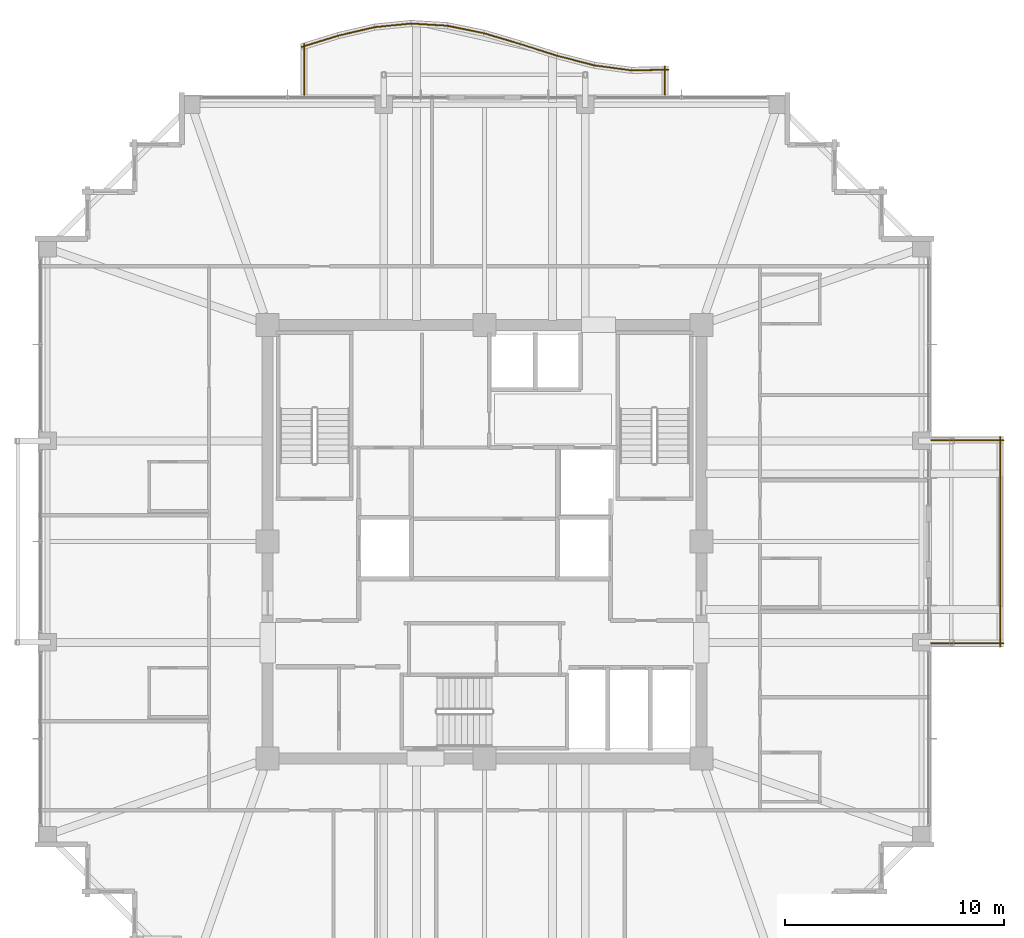
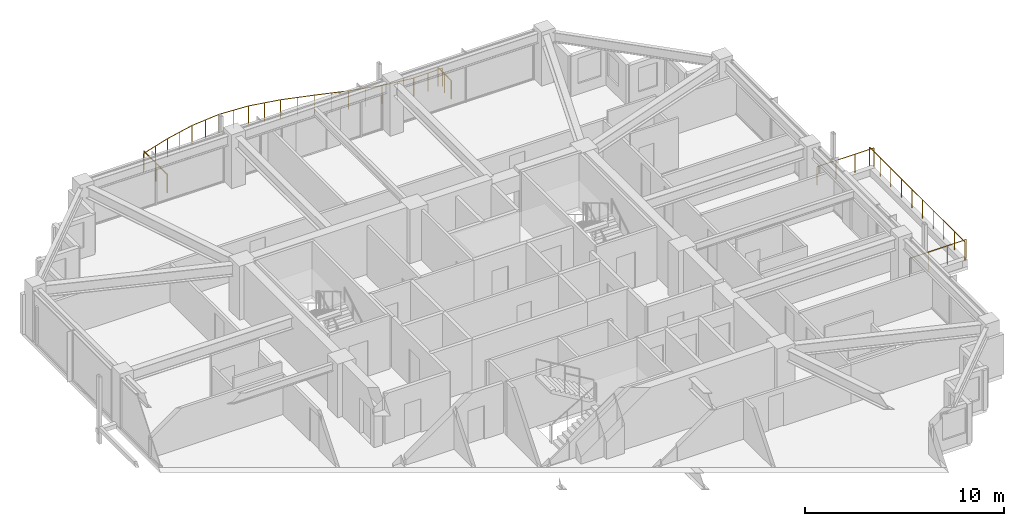
# One storey, part 38 of 38: 15 railings.
"""IFC4 building model written with IfcOpenShell, lengths in metres."""

from ifc_helpers import new_model, si_unit, direction, frame, origin, origin_2d, place, context, subcontext, project, spatial, circle, extrude, material, type_object, element, save


model = new_model("IFC4")

# Units and contexts
model_context = context("Model", 3, precision=1e-05, world=origin(), true_north=direction((0.0, 1.0)))
body_context = subcontext(model_context, "Body", "Model", "MODEL_VIEW")
ifc_project = project(units=[si_unit("LENGTHUNIT", "METRE"), si_unit("AREAUNIT", "SQUARE_METRE"), si_unit("VOLUMEUNIT", "CUBIC_METRE"), si_unit("PLANEANGLEUNIT", "RADIAN"), si_unit("MASSUNIT", "GRAM", prefix="KILO")], contexts=[model_context])

# Site, building, storey
site_placement = place(None, origin())
site = spatial("IfcSite", under=ifc_project, at=site_placement, CompositionType="ELEMENT")
building_placement = place(site_placement, origin())
building = spatial("IfcBuilding", under=site, at=building_placement, Name="Kolvaren Belvedere", CompositionType="ELEMENT")
storey_placement = place(building_placement, frame((0.0, 0.0, 206.39990234375)))
storey = spatial("IfcBuildingStorey", under=building, at=storey_placement, Name="L60", CompositionType="ELEMENT", Elevation=206.39990234375)

# Railings
ifc_material = material(Name="Anodised pale-metal aluminium & laminated glass guard", Category="aluminium")
railing_type = type_object("IfcRailingType", Name="RL-GUARD-1150", PredefinedType="GUARDRAIL", material=ifc_material)
railing_1_placement = place(storey_placement, frame((8.239990234375, 20.39990234375, 0.380126953125)))
element("IfcRailing", 1, at=railing_1_placement, inside=storey, type_object=railing_type, Name="L60 Exterior Deck Safety Guard BAL-N-11", PredefinedType="GUARDRAIL", context=body_context, shape_type="SweptSolid", body=[
    extrude(circle(Radius=0.02392578125, at=origin_2d()), frame((0.0, 0.0, 1.1259765625), z_axis=(0.0, 1.0, 0.0), x_axis=(-1.0, 0.0, 0.0)), (0.0, 0.0, 1.0), 1.31298828125),
    extrude(circle(Radius=0.02099609375, at=origin_2d()), origin(), (0.0, 0.0, 1.0), 1.101806640625),
    extrude(circle(Radius=0.02099609375, at=origin_2d()), frame((0.0, 0.656494140625, 0.0)), (0.0, 0.0, 1.0), 1.101806640625),
    extrude(circle(Radius=0.02099609375, at=origin_2d()), frame((0.0, 1.31298828125, 0.0)), (0.0, 0.0, 1.0), 1.101806640625),
])
railing_2_placement = place(storey_placement, frame((8.4033203125, 21.552978515625, 0.380126953125)))
element("IfcRailing", 2, at=railing_2_placement, inside=storey, type_object=railing_type, Name="L60 Exterior Deck Safety Guard BAL-N-12", PredefinedType="GUARDRAIL", context=body_context, shape_type="SweptSolid", body=[
    extrude(circle(Radius=0.02392578125, at=origin_2d()), frame((0.0, 0.0, 1.1259765625), z_axis=(-0.99979609052, -0.020193498486, 0.0), x_axis=(0.020193498486, -0.99979609052, 0.0)), (0.0, 0.0, 1.0), 1.680419921875),
    extrude(circle(Radius=0.02099609375, at=origin_2d()), origin(), (0.0, 0.0, 1.0), 1.101806640625),
    extrude(circle(Radius=0.02099609375, at=origin_2d()), frame((-0.840087890625, -0.01708984375, 0.0)), (0.0, 0.0, 1.0), 1.101806640625),
    extrude(circle(Radius=0.02099609375, at=origin_2d()), frame((-1.68017578125, -0.033935546875, 0.0)), (0.0, 0.0, 1.0), 1.101806640625),
])
railing_3_placement = place(storey_placement, frame((6.698486328125, 21.5205078125, 0.380126953125)))
element("IfcRailing", 3, at=railing_3_placement, inside=storey, type_object=railing_type, Name="L60 Exterior Deck Safety Guard BAL-N-13", PredefinedType="GUARDRAIL", context=body_context, shape_type="SweptSolid", body=[
    extrude(circle(Radius=0.02392578125, at=origin_2d()), frame((0.0, 0.0, 1.1259765625), z_axis=(-0.990858183042, 0.134907602079, 0.0), x_axis=(-0.134907602079, -0.990858183042, 0.0)), (0.0, 0.0, 1.0), 1.695556640625),
    extrude(circle(Radius=0.02099609375, at=origin_2d()), origin(), (0.0, 0.0, 1.0), 1.101806640625),
    extrude(circle(Radius=0.02099609375, at=origin_2d()), frame((-0.840087890625, 0.1142578125, 0.0)), (0.0, 0.0, 1.0), 1.101806640625),
    extrude(circle(Radius=0.02099609375, at=origin_2d()), frame((-1.68017578125, 0.228759765625, 0.0)), (0.0, 0.0, 1.0), 1.101806640625),
])
railing_4_placement = place(storey_placement, frame((5.0, 21.7529296875, 0.380126953125)))
element("IfcRailing", 4, at=railing_4_placement, inside=storey, type_object=railing_type, Name="L60 Exterior Deck Safety Guard BAL-N-14", PredefinedType="GUARDRAIL", context=body_context, shape_type="SweptSolid", body=[
    extrude(circle(Radius=0.02392578125, at=origin_2d()), frame((0.0, 0.0, 1.1259765625), z_axis=(-0.968141031826, 0.250405556038, 0.0), x_axis=(-0.250405556038, -0.968141031826, 0.0)), (0.0, 0.0, 1.0), 1.7353515625),
    extrude(circle(Radius=0.02099609375, at=origin_2d()), origin(), (0.0, 0.0, 1.0), 1.101806640625),
    extrude(circle(Radius=0.02099609375, at=origin_2d()), frame((-0.840087890625, 0.21728515625, 0.0)), (0.0, 0.0, 1.0), 1.101806640625),
    extrude(circle(Radius=0.02099609375, at=origin_2d()), frame((-1.68017578125, 0.4345703125, 0.0)), (0.0, 0.0, 1.0), 1.101806640625),
])
railing_5_placement = place(storey_placement, frame((3.3115234375, 22.18994140625, 0.380126953125)))
element("IfcRailing", 5, at=railing_5_placement, inside=storey, type_object=railing_type, Name="L60 Exterior Deck Safety Guard BAL-N-15", PredefinedType="GUARDRAIL", context=body_context, shape_type="SweptSolid", body=[
    extrude(circle(Radius=0.02392578125, at=origin_2d()), frame((0.0, 0.0, 1.1259765625), z_axis=(-0.953181954832, 0.302397356111, 0.0), x_axis=(-0.302397356111, -0.953181954832, 0.0)), (0.0, 0.0, 1.0), 1.762451171875),
    extrude(circle(Radius=0.02099609375, at=origin_2d()), origin(), (0.0, 0.0, 1.0), 1.101806640625),
    extrude(circle(Radius=0.02099609375, at=origin_2d()), frame((-0.83984375, 0.2666015625, 0.0)), (0.0, 0.0, 1.0), 1.101806640625),
    extrude(circle(Radius=0.02099609375, at=origin_2d()), frame((-1.679931640625, 0.532958984375, 0.0)), (0.0, 0.0, 1.0), 1.101806640625),
])
railing_6_placement = place(storey_placement, frame((1.634521484375, 22.721923828125, 0.380126953125)))
element("IfcRailing", 6, at=railing_6_placement, inside=storey, type_object=railing_type, Name="L60 Exterior Deck Safety Guard BAL-N-16", PredefinedType="GUARDRAIL", context=body_context, shape_type="SweptSolid", body=[
    extrude(circle(Radius=0.02392578125, at=origin_2d()), frame((0.0, 0.0, 1.1259765625), z_axis=(-0.958536356279, 0.284970268083, 0.0), x_axis=(-0.284970268083, -0.958536356279, 0.0)), (0.0, 0.0, 1.0), 1.7529296875),
    extrude(circle(Radius=0.02099609375, at=origin_2d()), origin(), (0.0, 0.0, 1.0), 1.101806640625),
    extrude(circle(Radius=0.02099609375, at=origin_2d()), frame((-0.840087890625, 0.249755859375, 0.0)), (0.0, 0.0, 1.0), 1.101806640625),
    extrude(circle(Radius=0.02099609375, at=origin_2d()), frame((-1.68017578125, 0.49951171875, 0.0)), (0.0, 0.0, 1.0), 1.101806640625),
])
railing_7_placement = place(storey_placement, frame((-0.031982421875, 23.218017578125, 0.380126953125)))
element("IfcRailing", 7, at=railing_7_placement, inside=storey, type_object=railing_type, Name="L60 Exterior Deck Safety Guard BAL-N-17", PredefinedType="GUARDRAIL", context=body_context, shape_type="SweptSolid", body=[
    extrude(circle(Radius=0.02392578125, at=origin_2d()), frame((0.0, 0.0, 1.1259765625), z_axis=(-0.979867779516, 0.199647526069, 0.0), x_axis=(-0.199647526069, -0.979867779516, 0.0)), (0.0, 0.0, 1.0), 1.71435546875),
    extrude(circle(Radius=0.02099609375, at=origin_2d()), origin(), (0.0, 0.0, 1.0), 1.101806640625),
    extrude(circle(Radius=0.02099609375, at=origin_2d()), frame((-0.83984375, 0.171142578125, 0.0)), (0.0, 0.0, 1.0), 1.101806640625),
    extrude(circle(Radius=0.02099609375, at=origin_2d()), frame((-1.679931640625, 0.34228515625, 0.0)), (0.0, 0.0, 1.0), 1.101806640625),
])
railing_8_placement = place(storey_placement, frame((-1.689697265625, 23.5576171875, 0.380126953125)))
element("IfcRailing", 8, at=railing_8_placement, inside=storey, type_object=railing_type, Name="L60 Exterior Deck Safety Guard BAL-N-18", PredefinedType="GUARDRAIL", context=body_context, shape_type="SweptSolid", body=[
    extrude(circle(Radius=0.02392578125, at=origin_2d()), frame((0.0, 0.0, 1.1259765625), z_axis=(-0.998134101522, 0.061059932685, 0.0), x_axis=(-0.061059932685, -0.998134101522, 0.0)), (0.0, 0.0, 1.0), 1.683349609375),
    extrude(circle(Radius=0.02099609375, at=origin_2d()), origin(), (0.0, 0.0, 1.0), 1.101806640625),
    extrude(circle(Radius=0.02099609375, at=origin_2d()), frame((-0.840087890625, 0.05126953125, 0.0)), (0.0, 0.0, 1.0), 1.101806640625),
    extrude(circle(Radius=0.02099609375, at=origin_2d()), frame((-1.68017578125, 0.102783203125, 0.0)), (0.0, 0.0, 1.0), 1.101806640625),
])
railing_9_placement = place(storey_placement, frame((-3.343994140625, 23.660888671875, 0.380126953125)))
element("IfcRailing", 9, at=railing_9_placement, inside=storey, type_object=railing_type, Name="L60 Exterior Deck Safety Guard BAL-N-19", PredefinedType="GUARDRAIL", context=body_context, shape_type="SweptSolid", body=[
    extrude(circle(Radius=0.02392578125, at=origin_2d()), frame((0.0, 0.0, 1.1259765625), z_axis=(-0.995025731437, -0.099618240186, 0.0), x_axis=(0.099618240186, -0.995025731437, 0.0)), (0.0, 0.0, 1.0), 1.6884765625),
    extrude(circle(Radius=0.02099609375, at=origin_2d()), origin(), (0.0, 0.0, 1.0), 1.101806640625),
    extrude(circle(Radius=0.02099609375, at=origin_2d()), frame((-0.840087890625, -0.083984375, 0.0)), (0.0, 0.0, 1.0), 1.101806640625),
    extrude(circle(Radius=0.02099609375, at=origin_2d()), frame((-1.68017578125, -0.168212890625, 0.0)), (0.0, 0.0, 1.0), 1.101806640625),
])
railing_10_placement = place(storey_placement, frame((-5.003662109375, 23.49609375, 0.380126953125)))
element("IfcRailing", 10, at=railing_10_placement, inside=storey, type_object=railing_type, Name="L60 Exterior Deck Safety Guard BAL-N-20", PredefinedType="GUARDRAIL", context=body_context, shape_type="SweptSolid", body=[
    extrude(circle(Radius=0.02392578125, at=origin_2d()), frame((0.0, 0.0, 1.1259765625), z_axis=(-0.973890253884, -0.227019323824, 0.0), x_axis=(0.227019323824, -0.973890253884, 0.0)), (0.0, 0.0, 1.0), 1.724853515625),
    extrude(circle(Radius=0.02099609375, at=origin_2d()), origin(), (0.0, 0.0, 1.0), 1.101806640625),
    extrude(circle(Radius=0.02099609375, at=origin_2d()), frame((-0.83984375, -0.19580078125, 0.0)), (0.0, 0.0, 1.0), 1.101806640625),
    extrude(circle(Radius=0.02099609375, at=origin_2d()), frame((-1.679931640625, -0.3916015625, 0.0)), (0.0, 0.0, 1.0), 1.101806640625),
])
railing_11_placement = place(storey_placement, frame((-6.672607421875, 23.107421875, 0.380126953125)))
element("IfcRailing", 11, at=railing_11_placement, inside=storey, type_object=railing_type, Name="L60 Exterior Deck Safety Guard BAL-N-21", PredefinedType="GUARDRAIL", context=body_context, shape_type="SweptSolid", body=[
    extrude(circle(Radius=0.02392578125, at=origin_2d()), frame((0.0, 0.0, 1.1259765625), z_axis=(-0.955252278476, -0.29579229954, 0.0), x_axis=(0.29579229954, -0.955252278476, 0.0)), (0.0, 0.0, 1.0), 1.7587890625),
    extrude(circle(Radius=0.02099609375, at=origin_2d()), origin(), (0.0, 0.0, 1.0), 1.101806640625),
    extrude(circle(Radius=0.02099609375, at=origin_2d()), frame((-0.840087890625, -0.26025390625, 0.0)), (0.0, 0.0, 1.0), 1.101806640625),
    extrude(circle(Radius=0.02099609375, at=origin_2d()), frame((-1.68017578125, -0.520263671875, 0.0)), (0.0, 0.0, 1.0), 1.101806640625),
])
railing_12_placement = place(storey_placement, frame((-8.239990234375, 22.739990234375, 0.380126953125)))
element("IfcRailing", 12, at=railing_12_placement, inside=storey, type_object=railing_type, Name="L60 Exterior Deck Safety Guard BAL-N-22", PredefinedType="GUARDRAIL", context=body_context, shape_type="SweptSolid", body=[
    extrude(circle(Radius=0.02392578125, at=origin_2d()), frame((0.0, 0.0, 1.1259765625), z_axis=(0.0, -1.0, 0.0), x_axis=(1.0, 0.0, 0.0)), (0.0, 0.0, 1.0), 2.340087890625),
    extrude(circle(Radius=0.02099609375, at=origin_2d()), origin(), (0.0, 0.0, 1.0), 1.101806640625),
    extrude(circle(Radius=0.02099609375, at=origin_2d()), frame((0.0, -1.169921875, 0.0)), (0.0, 0.0, 1.0), 1.101806640625),
    extrude(circle(Radius=0.02099609375, at=origin_2d()), frame((0.0, -2.340087890625, 0.0)), (0.0, 0.0, 1.0), 1.101806640625),
])
railing_13_placement = place(storey_placement, frame((20.39990234375, -4.639892578125, 0.380126953125)))
element("IfcRailing", 13, at=railing_13_placement, inside=storey, type_object=railing_type, Name="L60 Exterior Deck Safety Guard SPIRAL-09-E-1", PredefinedType="GUARDRAIL", context=body_context, shape_type="SweptSolid", body=[
    extrude(circle(Radius=0.02392578125, at=origin_2d()), frame((0.0, 0.0, 1.1259765625), z_axis=(1.0, 0.0, 0.0), x_axis=(0.0, 1.0, 0.0)), (0.0, 0.0, 1.0), 3.300048828125),
    extrude(circle(Radius=0.02099609375, at=origin_2d()), origin(), (0.0, 0.0, 1.0), 1.101806640625),
    extrude(circle(Radius=0.02099609375, at=origin_2d()), frame((1.10009765625, 0.0, 0.0)), (0.0, 0.0, 1.0), 1.101806640625),
    extrude(circle(Radius=0.02099609375, at=origin_2d()), frame((2.199951171875, 0.0, 0.0)), (0.0, 0.0, 1.0), 1.101806640625),
    extrude(circle(Radius=0.02099609375, at=origin_2d()), frame((3.300048828125, 0.0, 0.0)), (0.0, 0.0, 1.0), 1.101806640625),
])
railing_14_placement = place(storey_placement, frame((23.5400390625, -4.800048828125, 0.380126953125)))
element("IfcRailing", 14, at=railing_14_placement, inside=storey, type_object=railing_type, Name="L60 Exterior Deck Safety Guard SPIRAL-09-E-2", PredefinedType="GUARDRAIL", context=body_context, shape_type="SweptSolid", body=[
    extrude(circle(Radius=0.02392578125, at=origin_2d()), frame((0.0, 0.0, 1.1259765625), z_axis=(0.0, 1.0, 0.0), x_axis=(-1.0, 0.0, 0.0)), (0.0, 0.0, 1.0), 9.60009765625),
    extrude(circle(Radius=0.02099609375, at=origin_2d()), origin(), (0.0, 0.0, 1.0), 1.101806640625),
    extrude(circle(Radius=0.02099609375, at=origin_2d()), frame((0.0, 1.066650390625, 0.0)), (0.0, 0.0, 1.0), 1.101806640625),
    extrude(circle(Radius=0.02099609375, at=origin_2d()), frame((0.0, 2.13330078125, 0.0)), (0.0, 0.0, 1.0), 1.101806640625),
    extrude(circle(Radius=0.02099609375, at=origin_2d()), frame((0.0, 3.199951171875, 0.0)), (0.0, 0.0, 1.0), 1.101806640625),
    extrude(circle(Radius=0.02099609375, at=origin_2d()), frame((0.0, 4.2666015625, 0.0)), (0.0, 0.0, 1.0), 1.101806640625),
    extrude(circle(Radius=0.02099609375, at=origin_2d()), frame((0.0, 5.33349609375, 0.0)), (0.0, 0.0, 1.0), 1.101806640625),
    extrude(circle(Radius=0.02099609375, at=origin_2d()), frame((0.0, 6.400146484375, 0.0)), (0.0, 0.0, 1.0), 1.101806640625),
    extrude(circle(Radius=0.02099609375, at=origin_2d()), frame((0.0, 7.466796875, 0.0)), (0.0, 0.0, 1.0), 1.101806640625),
    extrude(circle(Radius=0.02099609375, at=origin_2d()), frame((0.0, 8.533447265625, 0.0)), (0.0, 0.0, 1.0), 1.101806640625),
    extrude(circle(Radius=0.02099609375, at=origin_2d()), frame((0.0, 9.60009765625, 0.0)), (0.0, 0.0, 1.0), 1.101806640625),
])
railing_15_placement = place(storey_placement, frame((23.699951171875, 4.639892578125, 0.380126953125)))
element("IfcRailing", 15, at=railing_15_placement, inside=storey, type_object=railing_type, Name="L60 Exterior Deck Safety Guard SPIRAL-09-E-3", PredefinedType="GUARDRAIL", context=body_context, shape_type="SweptSolid", body=[
    extrude(circle(Radius=0.02392578125, at=origin_2d()), frame((0.0, 0.0, 1.1259765625), z_axis=(-1.0, 0.0, 0.0), x_axis=(0.0, -1.0, 0.0)), (0.0, 0.0, 1.0), 3.300048828125),
    extrude(circle(Radius=0.02099609375, at=origin_2d()), origin(), (0.0, 0.0, 1.0), 1.101806640625),
    extrude(circle(Radius=0.02099609375, at=origin_2d()), frame((-1.10009765625, 0.0, 0.0)), (0.0, 0.0, 1.0), 1.101806640625),
    extrude(circle(Radius=0.02099609375, at=origin_2d()), frame((-2.199951171875, 0.0, 0.0)), (0.0, 0.0, 1.0), 1.101806640625),
    extrude(circle(Radius=0.02099609375, at=origin_2d()), frame((-3.300048828125, 0.0, 0.0)), (0.0, 0.0, 1.0), 1.101806640625),
])

save(model, "model.ifc")
